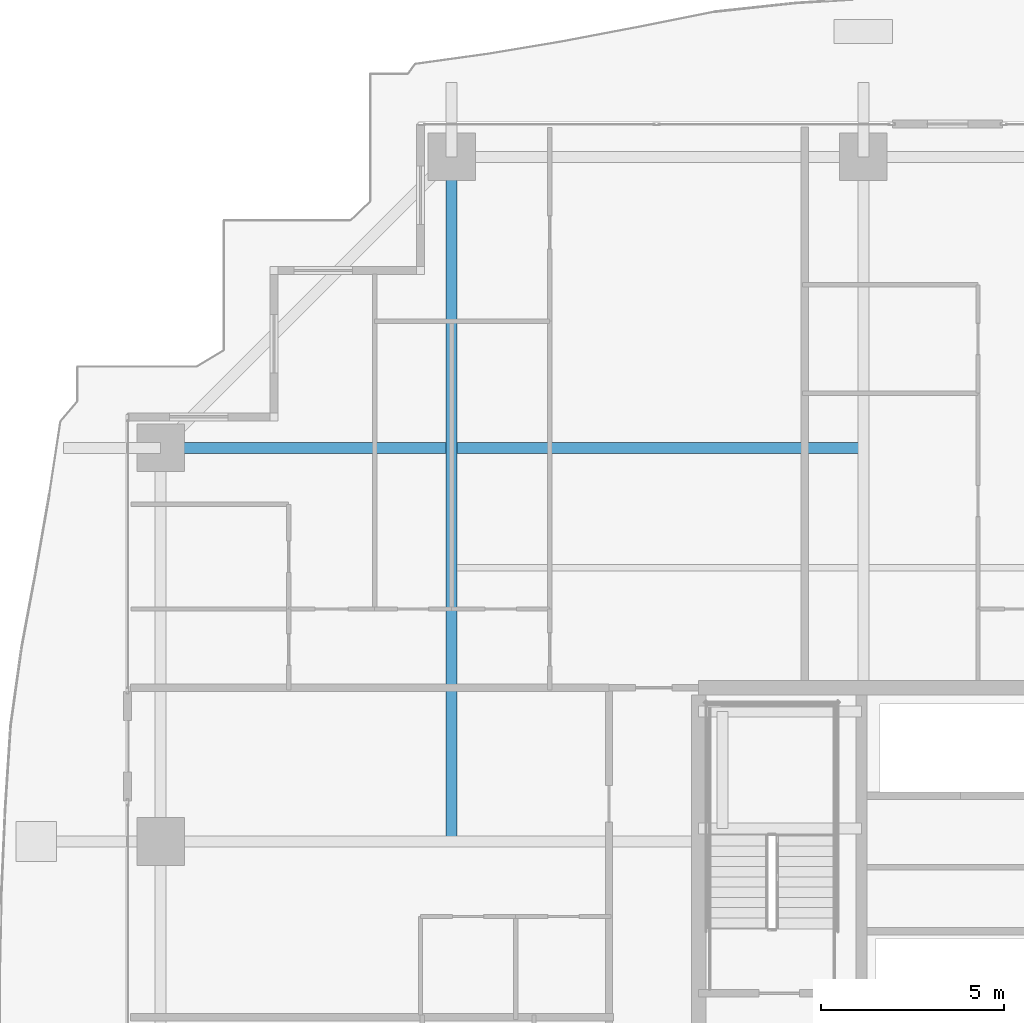
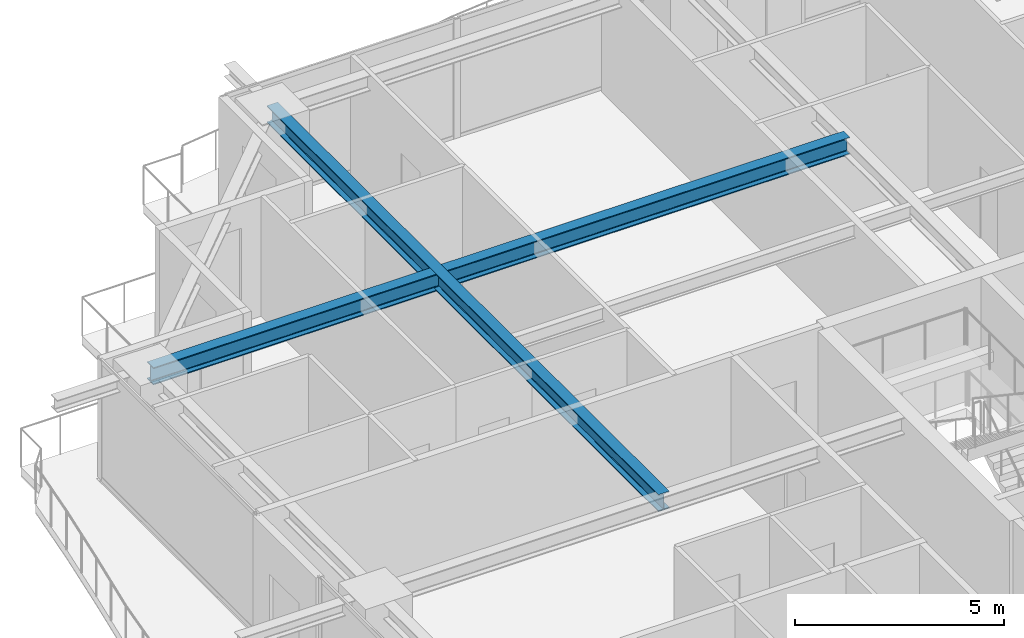
# One storey, part 18 of 37: 2 beams.
"""IFC4 building model written with IfcOpenShell, lengths in metres."""

from ifc_helpers import new_model, si_unit, direction, frame, origin, origin_2d, place, context, subcontext, project, spatial, i_section, extrude, source, transform, mapped, material, material_profile, profile_set, type_object, element, save


model = new_model("IFC4")

# Units and contexts
model_context = context("Model", 3, precision=1e-05, world=origin(), true_north=direction((0.0, 1.0)))
body_context = subcontext(model_context, "Body", "Model", "MODEL_VIEW")
ifc_project = project(units=[si_unit("LENGTHUNIT", "METRE"), si_unit("AREAUNIT", "SQUARE_METRE"), si_unit("VOLUMEUNIT", "CUBIC_METRE"), si_unit("PLANEANGLEUNIT", "RADIAN"), si_unit("MASSUNIT", "GRAM", prefix="KILO")], contexts=[model_context])

# Site, building, storey
site_placement = place(None, origin())
site = spatial("IfcSite", under=ifc_project, at=site_placement, CompositionType="ELEMENT")
building_placement = place(site_placement, origin())
building = spatial("IfcBuilding", under=site, at=building_placement, Name="Serunith Strait Residences", CompositionType="ELEMENT")
storey_placement = place(building_placement, frame((0.0, 0.0, 153.89990234375)))
storey = spatial("IfcBuildingStorey", under=building, at=storey_placement, Name="L38", CompositionType="ELEMENT", Elevation=153.89990234375)

# Beams
ifc_material = material(Name="Steel S355J2", Category="steel")
ifc_material_profile = material_profile(ifc_material, i_section(OverallWidth=0.300048828125, OverallDepth=0.5, WebThickness=0.014404296875, FlangeThickness=0.028076171875, FilletRadius=0.027099609375, at=origin_2d()), Name="HEB 500")
ifc_profile_set = profile_set([ifc_material_profile], Name="Steel S355J2")
beam_type = type_object("IfcBeamType", Name="BM-HEB500", PredefinedType="BEAM", material=ifc_profile_set)
shared_shape_1 = source(origin(), body_context, "Body", "SweptSolid", [
    extrude(i_section(OverallWidth=0.300048828125, OverallDepth=0.5, WebThickness=0.014404296875, FlangeThickness=0.028076171875, FilletRadius=0.027099609375, at=origin_2d()), origin(), (0.0, 0.0, 1.0), 18.7001953125),
])
beam_1_placement = place(storey_placement, frame((16.64990234375, 29.39990234375, 3.237060546875), z_axis=(0.0, 1.0, 0.0), x_axis=(-1.0, 0.0, 0.0)))
element("IfcBeam", 1, at=beam_1_placement, inside=storey, type_object=beam_type, Name="L38 Orthogonal Corner Girder TC-N1", PredefinedType="BEAM", context=body_context, shape_type="MappedRepresentation", body=[
    mapped(shared_shape_1, transform((0.0, 0.0, 0.0), scale=1.0)),
])
shared_shape_2 = source(origin(), body_context, "Body", "SweptSolid", [
    extrude(i_section(OverallWidth=0.300048828125, OverallDepth=0.5, WebThickness=0.014404296875, FlangeThickness=0.028076171875, FilletRadius=0.027099609375, at=origin_2d()), origin(), (0.0, 0.0, 1.0), 19.199951171875),
])
beam_2_placement = place(storey_placement, frame((27.89990234375, 40.14990234375, 3.237060546875), z_axis=(-1.0, 0.0, 0.0), x_axis=(0.0, -1.0, 0.0)))
element("IfcBeam", 2, at=beam_2_placement, inside=storey, type_object=beam_type, Name="L38 Orthogonal Corner Girder TC-W4", PredefinedType="BEAM", context=body_context, shape_type="MappedRepresentation", body=[
    mapped(shared_shape_2, transform((0.0, 0.0, 0.0), scale=1.0)),
])

save(model, "model.ifc")
